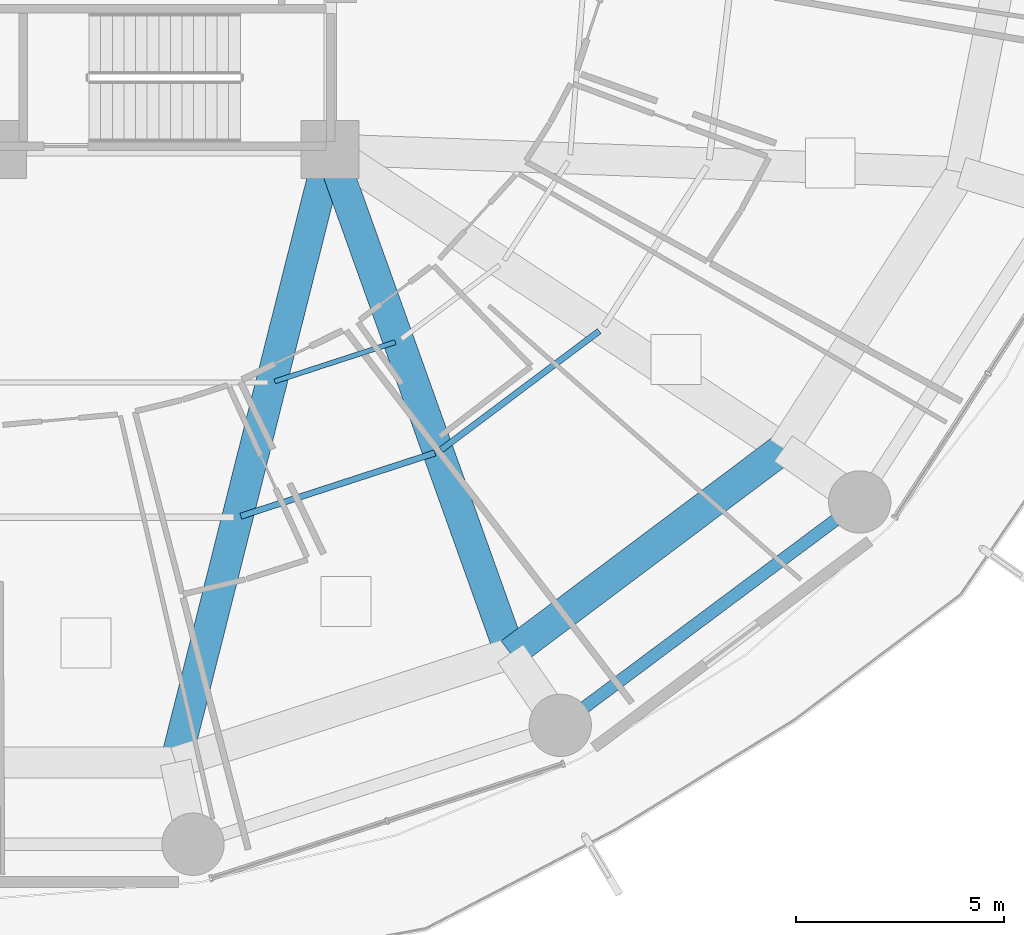
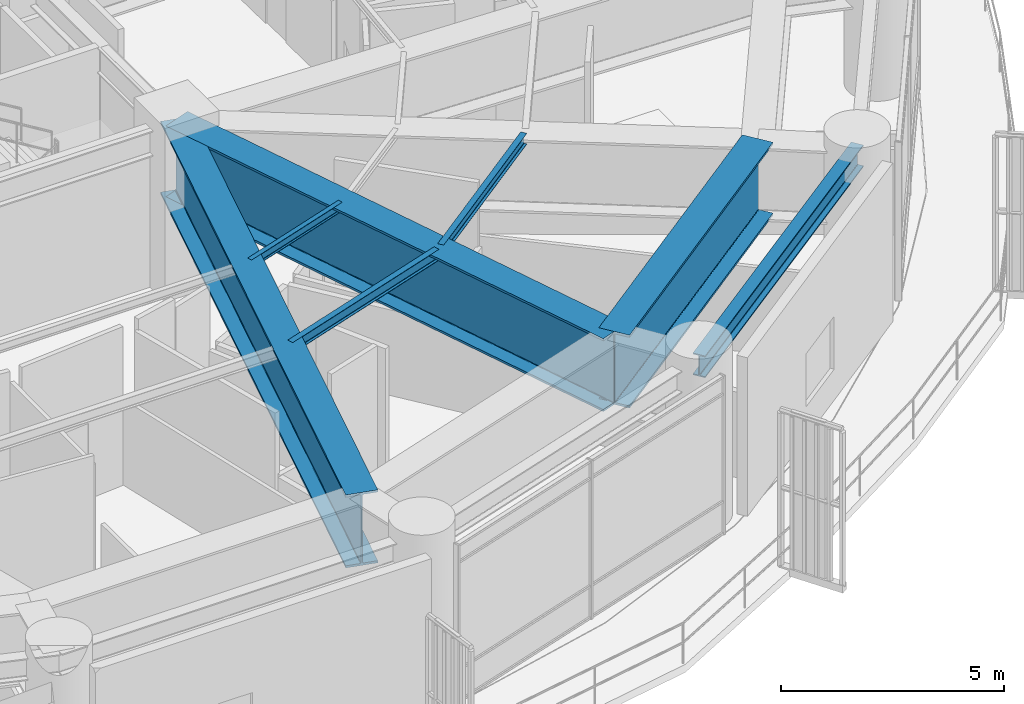
# One storey, part 9 of 31: 7 beams.
"""IFC4 building model written with IfcOpenShell, lengths in metres."""

import ifcopenshell
import ifcopenshell.guid

model = None  # the IFC model being written
_history = None  # IfcOwnerHistory: only IFC2X3 demands one
_inside = {}  # id of a spatial element -> (the spatial element, [elements in it])
_under = {}  # id of a project, library or spatial element -> (it, [spatial elements below it])
_declared = {}  # id of a project -> (the project, [libraries it declares])
_typed = {}  # id of a type object -> (the type object, [elements of that type])
_made_of = {}  # id of a material, layer set ... -> (it, [elements and type objects made of it])


def new_model(schema):
    """Start an empty IFC model of exactly this schema.

    Asked for "IFC4X3", IfcOpenShell would pick the latest addendum, in which some entities
    have other attributes; the version numbers below select the first issue.
    IFC2X3 requires an IfcOwnerHistory on every rooted entity: one is made here for all.
    """
    global model, _history
    if schema == "IFC4X3":
        model = ifcopenshell.file(schema_version=(4, 3, 0, 0))
    else:
        model = ifcopenshell.file(schema=schema)
    _inside.clear()
    _under.clear()
    _declared.clear()
    _typed.clear()
    _made_of.clear()
    _history = None
    if model.schema == "IFC2X3":
        org = make("IfcOrganization", Name="unknown")
        user = make(
            "IfcPersonAndOrganization",
            ThePerson=make("IfcPerson", FamilyName="unknown"),
            TheOrganization=org,
        )
        app = make(
            "IfcApplication",
            ApplicationDeveloper=org,
            Version="unknown",
            ApplicationFullName="unknown",
            ApplicationIdentifier="unknown",
        )
        _history = make(
            "IfcOwnerHistory",
            OwningUser=user,
            OwningApplication=app,
            ChangeAction="ADDED",
            CreationDate=0,
        )
    return model


def make(cls, **values):
    """One entity of the class cls with the attributes given. An attribute that is None is left unset."""
    return model.create_entity(
        cls, **{name: value for name, value in values.items() if value is not None}
    )


def rooted(cls, **values):
    """An entity with a GlobalId (a new one), such as an element, a storey or a relation."""
    return make(cls, GlobalId=ifcopenshell.guid.new(), OwnerHistory=_history, **values)


def si_unit(unit_type, name, prefix=None):
    """IfcSIUnit, for example si_unit("LENGTHUNIT", "METRE", prefix="MILLI")."""
    return make("IfcSIUnit", UnitType=unit_type, Prefix=prefix, Name=name)


def assignment(units):
    """IfcUnitAssignment: the units of a project."""
    return None if units is None else make("IfcUnitAssignment", Units=units)


def point(xyz):
    """IfcCartesianPoint."""
    return None if xyz is None else make("IfcCartesianPoint", Coordinates=xyz)


def direction(xyz):
    """IfcDirection."""
    return None if xyz is None else make("IfcDirection", DirectionRatios=xyz)


def frame(location, z_axis=None, x_axis=None):
    """IfcAxis2Placement3D, a coordinate frame: its origin and axes. An axis left out is left unset."""
    return make(
        "IfcAxis2Placement3D",
        Location=point(location),
        Axis=direction(z_axis),
        RefDirection=direction(x_axis),
    )


def frame_2d(location, x_axis=None):
    """IfcAxis2Placement2D, a coordinate frame in the plane: its origin and x axis."""
    return make(
        "IfcAxis2Placement2D", Location=point(location), RefDirection=direction(x_axis)
    )


def origin():
    """The frame at (0, 0, 0) with its axes left unset."""
    return frame((0.0, 0.0, 0.0))


def origin_2d():
    """The frame at (0, 0) in the plane with its x axis left unset."""
    return frame_2d((0.0, 0.0))


def place(relative_to, where):
    """IfcLocalPlacement: puts the frame where relative to a parent placement (None: the world)."""
    return make(
        "IfcLocalPlacement", PlacementRelTo=relative_to, RelativePlacement=where
    )


def context(
    kind, dimensions, precision=None, world=None, true_north=None, identifier=None
):
    """IfcGeometricRepresentationContext, for example the 3D "Model" context."""
    return make(
        "IfcGeometricRepresentationContext",
        ContextIdentifier=identifier,
        ContextType=kind,
        CoordinateSpaceDimension=dimensions,
        Precision=precision,
        WorldCoordinateSystem=world,
        TrueNorth=true_north,
    )


def subcontext(parent, identifier, kind, view, scale=None):
    """IfcGeometricRepresentationSubContext, for example "Body" below "Model"."""
    return make(
        "IfcGeometricRepresentationSubContext",
        ContextIdentifier=identifier,
        ContextType=kind,
        ParentContext=parent,
        TargetScale=scale,
        TargetView=view,
    )


def project(units=None, contexts=None):
    """IfcProject with its units and contexts."""
    return rooted(
        "IfcProject",
        Name="project",
        RepresentationContexts=contexts,
        UnitsInContext=assignment(units),
    )


def spatial(cls, under=None, at=None, **own):
    """A site, building, storey or space (cls), placed at a placement, below another one or the project."""
    s = rooted(cls, ObjectPlacement=at, **own)
    if under is not None:
        _under.setdefault(under.id(), (under, []))[1].append(s)
    return s


def profile(cls, at=None, kind="AREA", **sizes):
    """A parametric profile (cls). Its sizes go by their IFC names, for example OverallWidth=200.0."""
    return make(cls, ProfileType=kind, Position=at, **sizes)


def i_section(**sizes):
    """IfcIShapeProfileDef."""
    return profile("IfcIShapeProfileDef", **sizes)


def extrude(swept, where, along, depth):
    """IfcExtrudedAreaSolid: the profile swept, set in the frame where, extruded along a direction by depth."""
    return make(
        "IfcExtrudedAreaSolid",
        SweptArea=swept,
        Position=where,
        ExtrudedDirection=direction(along),
        Depth=depth,
    )


def shape(context_of_items, identifier, shape_type, items):
    """IfcShapeRepresentation: the items that make up one representation, for example the "Body"."""
    return make(
        "IfcShapeRepresentation",
        ContextOfItems=context_of_items,
        RepresentationIdentifier=identifier,
        RepresentationType=shape_type,
        Items=items,
    )


def material(Name=None, Category=None):
    """IfcMaterial."""
    return make("IfcMaterial", Name=Name, Category=Category)


def material_profile(
    of_material, cross_section, Name=None, Category=None, Priority=None
):
    """IfcMaterialProfile: a cross section and its material."""
    return make(
        "IfcMaterialProfile",
        Name=Name,
        Material=of_material,
        Profile=cross_section,
        Priority=Priority,
        Category=Category,
    )


def profile_set(profiles, Name=None, composite=None):
    """IfcMaterialProfileSet."""
    return make(
        "IfcMaterialProfileSet",
        Name=Name,
        MaterialProfiles=profiles,
        CompositeProfile=composite,
    )


def made_of(thing, what):
    """Note that an element or type object is made of a material, layer set ...; save() writes the relation."""
    if what is not None:
        _made_of.setdefault(what.id(), (what, []))[1].append(thing)
    return thing


def type_object(cls, material=None, **own):
    """A type object (cls), such as IfcWallType, which elements share."""
    return made_of(rooted(cls, **own), material)


def element(
    cls,
    number,
    at=None,
    inside=None,
    cuts=None,
    type_object=None,
    material=None,
    context=None,
    identifier="Body",
    shape_type=None,
    held_by="IfcProductDefinitionShape",
    body=None,
    shapes=None,
    **own,
):
    """One element of the class cls, such as IfcWall. Its Tag is "e" and its number.

    at: its placement. inside: the storey or other place that contains it. cuts: it is an
    opening in that element (IfcRelVoidsElement). A single representation is given by context,
    identifier, shape_type and body (its items); several are given by shapes. held_by: the class
    of the entity that holds the representations. save() writes the other relations.
    """
    e = rooted(cls, Tag="e%d" % number, ObjectPlacement=at, **own)
    if body is not None:
        shapes = [shape(context, identifier, shape_type, body)]
    if shapes is not None:
        e.Representation = make(held_by, Representations=shapes)
    if inside is not None:
        _inside.setdefault(inside.id(), (inside, []))[1].append(e)
    if cuts is not None:
        rooted(
            "IfcRelVoidsElement", RelatingBuildingElement=cuts, RelatedOpeningElement=e
        )
    if type_object is not None:
        _typed.setdefault(type_object.id(), (type_object, []))[1].append(e)
    return made_of(e, material)


def aggregate(whole, parts):
    """IfcRelAggregates: a whole, such as a stair, and the parts it consists of."""
    return rooted("IfcRelAggregates", RelatingObject=whole, RelatedObjects=parts)


def save(model, path):
    """Write the relations noted so far, then the file.

    IfcRelAggregates (storeys below a building ...), IfcRelContainedInSpatialStructure (elements
    in a storey), IfcRelDefinesByType, IfcRelAssociatesMaterial and IfcRelDeclares: one each for
    every whole, place, type object, material and project.
    """
    for whole, parts in _under.values():
        aggregate(whole, parts)
    for where, things in _inside.values():
        rooted(
            "IfcRelContainedInSpatialStructure",
            RelatedElements=things,
            RelatingStructure=where,
        )
    for kind, things in _typed.values():
        rooted("IfcRelDefinesByType", RelatedObjects=things, RelatingType=kind)
    for what, things in _made_of.values():
        rooted("IfcRelAssociatesMaterial", RelatedObjects=things, RelatingMaterial=what)
    for by, libraries in _declared.values():
        rooted("IfcRelDeclares", RelatingContext=by, RelatedDefinitions=libraries)
    model.write(path)


model = new_model("IFC4")

# Units and contexts
model_context = context("Model", 3, precision=1e-05, world=origin(), true_north=direction((0.0, 1.0)))
body_context = subcontext(model_context, "Body", "Model", "MODEL_VIEW")
ifc_project = project(units=[si_unit("LENGTHUNIT", "METRE"), si_unit("AREAUNIT", "SQUARE_METRE"), si_unit("VOLUMEUNIT", "CUBIC_METRE"), si_unit("PLANEANGLEUNIT", "RADIAN"), si_unit("MASSUNIT", "GRAM", prefix="KILO")], contexts=[model_context])

# Site, building, storey
site_placement = place(None, origin())
site = spatial("IfcSite", under=ifc_project, at=site_placement, CompositionType="ELEMENT")
building_placement = place(site_placement, origin())
building = spatial("IfcBuilding", under=site, at=building_placement, Name="Kelanora Arch Commons", CompositionType="ELEMENT")
storey_placement = place(building_placement, frame((0.0, 0.0, 67.5)))
storey = spatial("IfcBuildingStorey", under=building, at=storey_placement, Name="L17", CompositionType="ELEMENT", Elevation=67.5)

# Beams
ifc_material = material(Name="Steel S355", Category="steel")
ifc_material_profile_1 = material_profile(ifc_material, i_section(OverallWidth=0.14990234375, OverallDepth=0.300048828125, WebThickness=0.007080078125, FlangeThickness=0.0107421875, FilletRadius=0.014892578125, at=origin_2d()), Name="IPE300")
ifc_profile_set_1 = profile_set([ifc_material_profile_1], Name="Steel S355")
beam_type_1 = type_object("IfcBeamType", Name="BM-JST-01", PredefinedType="JOIST", material=ifc_profile_set_1)
beam_1_placement = place(storey_placement, frame((79.852294921875, 42.1796875, 4.2099609375), z_axis=(0.950857140254, 0.309629938521, 0.0), x_axis=(-0.309629938521, 0.950857140254, 0.0)))
element("IfcBeam", 1, at=beam_1_placement, inside=storey, type_object=beam_type_1, Name="Secondary Chord Joist BJB-28 L17", PredefinedType="JOIST", context=body_context, shape_type="SweptSolid", body=[
    extrude(i_section(OverallWidth=0.14990234375, OverallDepth=0.300048828125, WebThickness=0.007080078125, FlangeThickness=0.0107421875, FilletRadius=0.014892578125, at=origin_2d()), origin(), (0.0, 0.0, 1.0), 4.912353515625),
])
beam_2_placement = place(storey_placement, frame((84.672119140625, 43.77783203125, 4.2099609375), z_axis=(0.79971039107, 0.600385951214, 0.0), x_axis=(-0.600385951214, 0.79971039107, 0.0)))
element("IfcBeam", 2, at=beam_2_placement, inside=storey, type_object=beam_type_1, Name="Secondary Chord Joist BJB-30 L17", PredefinedType="JOIST", context=body_context, shape_type="SweptSolid", body=[
    extrude(i_section(OverallWidth=0.14990234375, OverallDepth=0.300048828125, WebThickness=0.007080078125, FlangeThickness=0.0107421875, FilletRadius=0.014892578125, at=origin_2d()), origin(), (0.0, 0.0, 1.0), 4.756103515625),
])
ifc_material_profile_2 = material_profile(ifc_material, i_section(OverallWidth=0.1201171875, OverallDepth=0.239990234375, WebThickness=0.006103515625, FlangeThickness=0.009765625, FilletRadius=0.014892578125, at=origin_2d()), Name="IPE240")
ifc_profile_set_2 = profile_set([ifc_material_profile_2], Name="Steel S355")
beam_type_2 = type_object("IfcBeamType", Name="BM-JST-02", PredefinedType="JOIST", material=ifc_profile_set_2)
beam_3_placement = place(storey_placement, frame((80.66943359375, 45.42333984375, 4.239990234375), z_axis=(0.950846758946, 0.309661817151, 0.0), x_axis=(-0.309661817151, 0.950846758946, 0.0)))
element("IfcBeam", 3, at=beam_3_placement, inside=storey, type_object=beam_type_2, Name="Secondary Chord Joist BJA-28 L17", PredefinedType="JOIST", context=body_context, shape_type="SweptSolid", body=[
    extrude(i_section(OverallWidth=0.1201171875, OverallDepth=0.239990234375, WebThickness=0.006103515625, FlangeThickness=0.009765625, FilletRadius=0.014892578125, at=origin_2d()), origin(), (0.0, 0.0, 1.0), 3.048828125),
])
ifc_material_profile_3 = material_profile(ifc_material, i_section(OverallWidth=0.300048828125, OverallDepth=0.60009765625, WebThickness=0.015380859375, FlangeThickness=0.030029296875, FilletRadius=0.027099609375, at=origin_2d()), Name="HEB600")
ifc_profile_set_3 = profile_set([ifc_material_profile_3], Name="Steel S355")
beam_type_3 = type_object("IfcBeamType", Name="BM-SPN-Z1", PredefinedType="SPANDREL", material=ifc_profile_set_3)
beam_4_placement = place(storey_placement, frame((87.5400390625, 37.14599609375, 4.06005859375), z_axis=(0.801467504127, 0.598038326388, 0.0), x_axis=(-0.598038326388, 0.801467504127, 0.0)))
element("IfcBeam", 4, at=beam_4_placement, inside=storey, type_object=beam_type_3, Name="Perimeter Spandrel Beam BS-30 L17", PredefinedType="SPANDREL", context=body_context, shape_type="SweptSolid", body=[
    extrude(i_section(OverallWidth=0.300048828125, OverallDepth=0.60009765625, WebThickness=0.015380859375, FlangeThickness=0.030029296875, FilletRadius=0.027099609375, at=origin_2d()), origin(), (0.0, 0.0, 1.0), 8.989013671875),
])
ifc_material_profile_4 = material_profile(ifc_material, i_section(OverallWidth=0.75, OverallDepth=2.0, WebThickness=0.034912109375, FlangeThickness=0.06005859375, FilletRadius=0.028076171875, at=origin_2d()), Name="PG2000x750")
ifc_profile_set_4 = profile_set([ifc_material_profile_4], Name="Steel S355")
beam_type_4 = type_object("IfcBeamType", Name="BM-XFER-SET", PredefinedType="USERDEFINED", material=ifc_profile_set_4)
beam_5_placement = place(storey_placement, frame((82.0, 51.0, 3.360107421875), z_axis=(-0.244280647475, -0.969704576286, 0.0), x_axis=(0.969704576286, -0.244280647475, 0.0)))
element("IfcBeam", 5, at=beam_5_placement, inside=storey, type_object=beam_type_4, Name="Setback Radial Transfer Girder BRI-28 L17", ObjectType="TRANSFER_GIRDER", PredefinedType="USERDEFINED", context=body_context, shape_type="SweptSolid", body=[
    extrude(i_section(OverallWidth=0.75, OverallDepth=2.0, WebThickness=0.034912109375, FlangeThickness=0.06005859375, FilletRadius=0.028076171875, at=origin_2d()), origin(), (0.0, 0.0, 1.0), 15.205322265625),
])
beam_6_placement = place(storey_placement, frame((82.0, 51.0, 3.360107421875), z_axis=(0.337084640008, -0.941474346687, 0.0), x_axis=(0.941474346687, 0.337084640008, 0.0)))
element("IfcBeam", 6, at=beam_6_placement, inside=storey, type_object=beam_type_4, Name="Setback Radial Transfer Girder BRI-30 L17", ObjectType="TRANSFER_GIRDER", PredefinedType="USERDEFINED", context=body_context, shape_type="SweptSolid", body=[
    extrude(i_section(OverallWidth=0.75, OverallDepth=2.0, WebThickness=0.034912109375, FlangeThickness=0.06005859375, FilletRadius=0.028076171875, at=origin_2d()), origin(), (0.0, 0.0, 1.0), 12.875244140625),
])
beam_7_placement = place(storey_placement, frame((86.340087890625, 38.878173828125, 3.360107421875), z_axis=(0.799735861602, 0.600352023123, 0.0), x_axis=(-0.600352023123, 0.799735861602, 0.0)))
element("IfcBeam", 7, at=beam_7_placement, inside=storey, type_object=beam_type_4, Name="Setback Inner Transfer Ring BSI-30 L17", ObjectType="TRANSFER_GIRDER", PredefinedType="USERDEFINED", context=body_context, shape_type="SweptSolid", body=[
    extrude(i_section(OverallWidth=0.75, OverallDepth=2.0, WebThickness=0.034912109375, FlangeThickness=0.06005859375, FilletRadius=0.028076171875, at=origin_2d()), origin(), (0.0, 0.0, 1.0), 8.210205078125),
])

save(model, "model.ifc")
